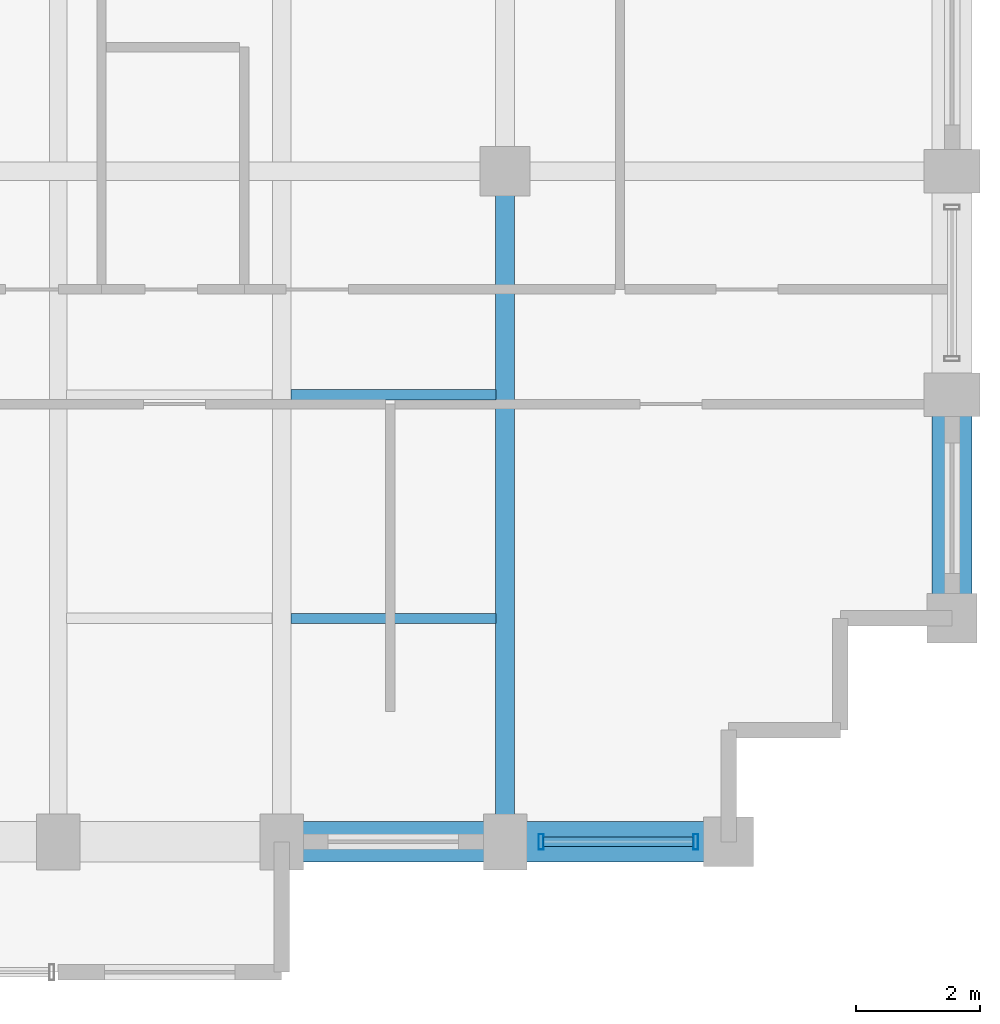
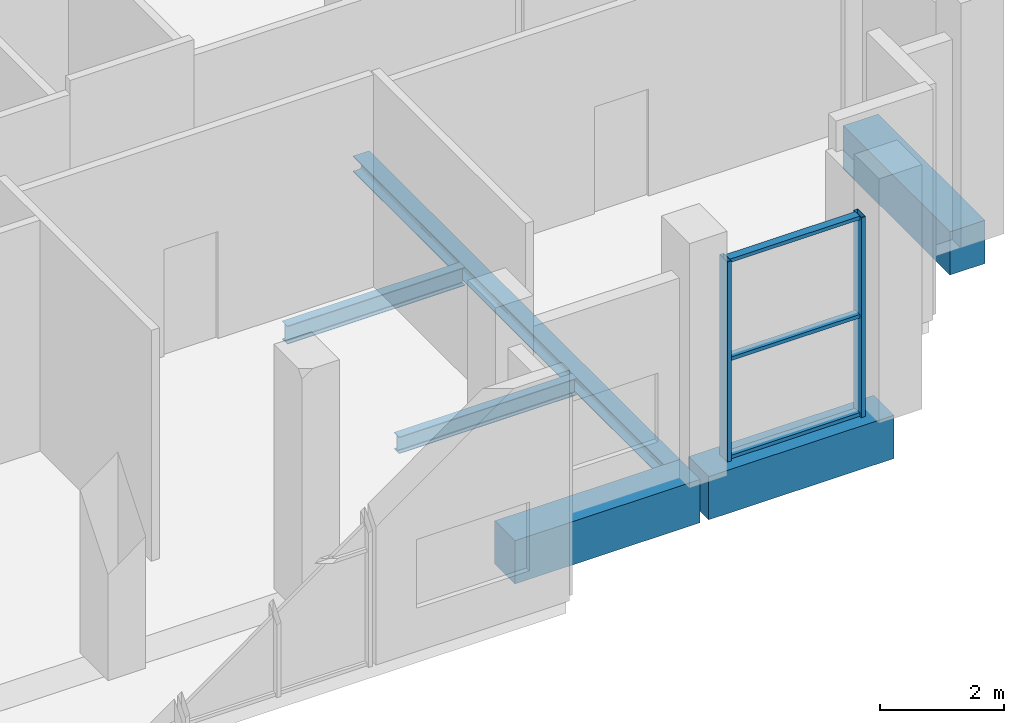
# One storey, part 8 of 16: 6 beams, 5 members, 1 element without a shape of its own.
"""IFC4 building model written with IfcOpenShell, lengths in metres."""

from ifc_helpers import new_model, si_unit, direction, frame, origin, origin_2d, place, context, subcontext, project, spatial, rectangle, hollow_rectangle, i_section, extrude, material, layer, layer_set, material_profile, profile_set, type_object, element, aggregate, save


model = new_model("IFC4")

# Units and contexts
model_context = context("Model", 3, precision=1e-05, world=origin(), true_north=direction((0.0, 1.0)))
body_context = subcontext(model_context, "Body", "Model", "MODEL_VIEW")
ifc_project = project(units=[si_unit("LENGTHUNIT", "METRE"), si_unit("AREAUNIT", "SQUARE_METRE"), si_unit("VOLUMEUNIT", "CUBIC_METRE"), si_unit("PLANEANGLEUNIT", "RADIAN"), si_unit("MASSUNIT", "GRAM", prefix="KILO")], contexts=[model_context])

# Site, building, storey
site_placement = place(None, origin())
site = spatial("IfcSite", under=ifc_project, at=site_placement, CompositionType="ELEMENT")
building_placement = place(site_placement, origin())
building = spatial("IfcBuilding", under=site, at=building_placement, Name="Solnavia Interchange Tower", CompositionType="ELEMENT")
storey_placement = place(building_placement, frame((0.0, 0.0, 209.0)))
storey = spatial("IfcBuildingStorey", under=building, at=storey_placement, Name="L52", CompositionType="ELEMENT", Elevation=209.0)

# Beams
ifc_material_1 = material(Name="Steel S355", Category="steel")
ifc_material_profile_1 = material_profile(ifc_material_1, i_section(OverallWidth=0.159912109375, OverallDepth=0.330078125, WebThickness=0.007568359375, FlangeThickness=0.011474609375, FilletRadius=0.01806640625, at=origin_2d()), Name="IPE 330")
ifc_profile_set_1 = profile_set([ifc_material_profile_1], Name="Steel S355")
beam_type_1 = type_object("IfcBeamType", Name="Beam-Joist-IPE330", PredefinedType="JOIST", material=ifc_profile_set_1)
beam_1_placement = place(storey_placement, frame((39.75, 7.199951171875, -0.485107421875), z_axis=(1.0, 0.0, 0.0), x_axis=(0.0, 1.0, 0.0)))
element("IfcBeam", 1, at=beam_1_placement, inside=storey, type_object=beam_type_1, Name="JST-L52-E02 East wing secondary joist", PredefinedType="JOIST", context=body_context, shape_type="SweptSolid", body=[
    extrude(i_section(OverallWidth=0.159912109375, OverallDepth=0.330078125, WebThickness=0.007568359375, FlangeThickness=0.011474609375, FilletRadius=0.01806640625, at=origin_2d()), origin(), (0.0, 0.0, 1.0), 3.300048828125),
])
ifc_material_profile_2 = material_profile(ifc_material_1, i_section(OverallWidth=0.169921875, OverallDepth=0.360107421875, WebThickness=0.008056640625, FlangeThickness=0.0126953125, FilletRadius=0.01806640625, at=origin_2d()), Name="IPE 360")
ifc_profile_set_2 = profile_set([ifc_material_profile_2], Name="Steel S355")
beam_type_2 = type_object("IfcBeamType", Name="Beam-Joist-IPE360", PredefinedType="JOIST", material=ifc_profile_set_2)
beam_2_placement = place(storey_placement, frame((39.75, 10.800048828125, -0.5), z_axis=(1.0, 0.0, 0.0), x_axis=(0.0, 1.0, 0.0)))
element("IfcBeam", 2, at=beam_2_placement, inside=storey, type_object=beam_type_2, Name="JST-L52-E04 East wing secondary joist", PredefinedType="JOIST", context=body_context, shape_type="SweptSolid", body=[
    extrude(i_section(OverallWidth=0.169921875, OverallDepth=0.360107421875, WebThickness=0.008056640625, FlangeThickness=0.0126953125, FilletRadius=0.01806640625, at=origin_2d()), origin(), (0.0, 0.0, 1.0), 3.300048828125),
])
ifc_material_profile_3 = material_profile(ifc_material_1, i_section(OverallWidth=0.300048828125, OverallDepth=0.31005859375, WebThickness=0.009033203125, FlangeThickness=0.015380859375, FilletRadius=0.027099609375, at=origin_2d()), Name="HEA 320")
ifc_profile_set_3 = profile_set([ifc_material_profile_3], Name="Steel S355")
beam_type_3 = type_object("IfcBeamType", Name="Beam-Primary-HEA320", PredefinedType="BEAM", material=ifc_profile_set_3)
beam_3_placement = place(storey_placement, frame((43.199951171875, 3.679931640625, -0.47509765625), z_axis=(0.0, 1.0, 0.0), x_axis=(-1.0, 0.0, 0.0)))
element("IfcBeam", 3, at=beam_3_placement, inside=storey, type_object=beam_type_3, Name="GRD-L52-EW05 East wing primary floor girder", PredefinedType="BEAM", context=body_context, shape_type="SweptSolid", body=[
    extrude(i_section(OverallWidth=0.300048828125, OverallDepth=0.31005859375, WebThickness=0.009033203125, FlangeThickness=0.015380859375, FilletRadius=0.027099609375, at=origin_2d()), origin(), (0.0, 0.0, 1.0), 10.64013671875),
])
ifc_material_2 = material(Name="Concrete C50/60", Category="concrete")
ifc_material_profile_4 = material_profile(ifc_material_2, rectangle(XDim=0.64990234375, YDim=0.85009765625, at=origin_2d()), Name="RC 650x850")
ifc_profile_set_4 = profile_set([ifc_material_profile_4], Name="Concrete C50/60")
beam_type_4 = type_object("IfcBeamType", Name="Beam-Spandrel-RC650x850", PredefinedType="SPANDREL", material=ifc_profile_set_4)
beam_4_placement = place(storey_placement, frame((39.679931640625, 3.60009765625, -0.425048828125), z_axis=(1.0, 0.0, 0.0), x_axis=(0.0, 1.0, 0.0)))
element("IfcBeam", 4, at=beam_4_placement, inside=storey, type_object=beam_type_4, Name="SPB-L52-13 Framed-tube perimeter spandrel beam", PredefinedType="SPANDREL", context=body_context, shape_type="SweptSolid", body=[
    extrude(rectangle(XDim=0.64990234375, YDim=0.85009765625, at=origin_2d()), origin(), (0.0, 0.0, 1.0), 3.440185546875),
])
for number, where, z_axis, x_axis, name in (
    (5, (43.280029296875, 3.60009765625, -0.425048828125), (1.0, 0.0, 0.0), (0.0, 1.0, 0.0), "SPB-L52-14 Framed-tube perimeter spandrel beam"),
    (6, (50.39990234375, 7.280029296875, -0.425048828125), (0.0, 1.0, 0.0), (-1.0, 0.0, 0.0), "SPB-L52-15 Framed-tube perimeter spandrel beam"),
):
    element("IfcBeam", number, at=place(storey_placement, frame(where, z_axis=z_axis, x_axis=x_axis)), inside=storey, type_object=beam_type_4, Name=name, PredefinedType="SPANDREL", context=body_context, shape_type="SweptSolid", body=[
        extrude(rectangle(XDim=0.64990234375, YDim=0.85009765625, at=origin_2d()), origin(), (0.0, 0.0, 1.0), 3.43994140625),
    ])

# Curtain wall, members
ifc_material_3 = material(Name="Aluminium Alloy 6063-T6", Category="aluminium")
ifc_layer = layer(ifc_material_3, 0.27001953125)
ifc_layer_set = layer_set([ifc_layer], Name="Aluminium Alloy 6063-T6")
curtain_wall_type = type_object("IfcCurtainWallType", Name="CurtainWall-SkyLobby-CTW4", PredefinedType="NOTDEFINED", material=ifc_layer_set)
curtain_wall_placement = place(storey_placement, origin())
curtain_wall = element("IfcCurtainWall", 7, at=curtain_wall_placement, inside=storey, type_object=curtain_wall_type, Name="CTW-L52-S08 CTW-4 curtain wall", PredefinedType="NOTDEFINED")
ifc_material_profile_5 = material_profile(ifc_material_3, hollow_rectangle(XDim=0.080078125, YDim=0.25, WallThickness=0.006103515625, at=origin_2d()), Name="ALU 250x80x6")
ifc_profile_set_5 = profile_set([ifc_material_profile_5], Name="Aluminium Alloy 6063-T6")
member_type_1 = type_object("IfcMemberType", Name="CW-Mullion-CWM-4", PredefinedType="MULLION", material=ifc_profile_set_5)
member_1_placement = place(storey_placement, frame((43.780029296875, 3.60009765625, 0.0), z_axis=(0.0, 0.0, 1.0), x_axis=(1.0, 0.0, 0.0)))
member_1 = element("IfcMember", 8, at=member_1_placement, type_object=member_type_1, Name="CTW-4 mullion 1", PredefinedType="MULLION", context=body_context, shape_type="SweptSolid", body=[
    extrude(hollow_rectangle(XDim=0.080078125, YDim=0.25, WallThickness=0.006103515625, at=origin_2d()), origin(), (0.0, 0.0, 1.0), 3.929931640625),
])
member_2_placement = place(storey_placement, frame((46.27001953125, 3.60009765625, 0.0), z_axis=(0.0, 0.0, 1.0), x_axis=(1.0, 0.0, 0.0)))
member_2 = element("IfcMember", 9, at=member_2_placement, type_object=member_type_1, Name="CTW-4 mullion 2", PredefinedType="MULLION", context=body_context, shape_type="SweptSolid", body=[
    extrude(hollow_rectangle(XDim=0.080078125, YDim=0.25, WallThickness=0.006103515625, at=origin_2d()), origin(), (0.0, 0.0, 1.0), 3.929931640625),
])
ifc_material_profile_6 = material_profile(ifc_material_3, hollow_rectangle(XDim=0.070068359375, YDim=0.14990234375, WallThickness=0.00439453125, at=origin_2d()), Name="ALU 150x70x4.5")
ifc_profile_set_6 = profile_set([ifc_material_profile_6], Name="Aluminium Alloy 6063-T6")
member_type_2 = type_object("IfcMemberType", Name="CW-Transom-CWT-4", PredefinedType="USERDEFINED", material=ifc_profile_set_6)
member_3_placement = place(storey_placement, frame((43.820068359375, 3.60009765625, 0.034912109375), z_axis=(1.0, 0.0, 0.0), x_axis=(0.0, 0.0, 1.0)))
member_3 = element("IfcMember", 10, at=member_3_placement, type_object=member_type_2, Name="CTW-4 transom 1.1", ObjectType="TRANSOM", PredefinedType="USERDEFINED", context=body_context, shape_type="SweptSolid", body=[
    extrude(hollow_rectangle(XDim=0.070068359375, YDim=0.14990234375, WallThickness=0.00439453125, at=origin_2d()), origin(), (0.0, 0.0, 1.0), 2.409912109375),
])
member_4_placement = place(storey_placement, frame((43.820068359375, 3.60009765625, 1.965087890625), z_axis=(1.0, 0.0, 0.0), x_axis=(0.0, 0.0, 1.0)))
member_4 = element("IfcMember", 11, at=member_4_placement, type_object=member_type_2, Name="CTW-4 transom 1.2", ObjectType="TRANSOM", PredefinedType="USERDEFINED", context=body_context, shape_type="SweptSolid", body=[
    extrude(hollow_rectangle(XDim=0.070068359375, YDim=0.14990234375, WallThickness=0.00439453125, at=origin_2d()), origin(), (0.0, 0.0, 1.0), 2.409912109375),
])
member_5_placement = place(storey_placement, frame((43.820068359375, 3.60009765625, 3.89501953125), z_axis=(1.0, 0.0, 0.0), x_axis=(0.0, 0.0, 1.0)))
member_5 = element("IfcMember", 12, at=member_5_placement, type_object=member_type_2, Name="CTW-4 transom 1.3", ObjectType="TRANSOM", PredefinedType="USERDEFINED", context=body_context, shape_type="SweptSolid", body=[
    extrude(hollow_rectangle(XDim=0.070068359375, YDim=0.14990234375, WallThickness=0.00439453125, at=origin_2d()), origin(), (0.0, 0.0, 1.0), 2.409912109375),
])
aggregate(curtain_wall, [member_1, member_2, member_3, member_4, member_5])

save(model, "model.ifc")
